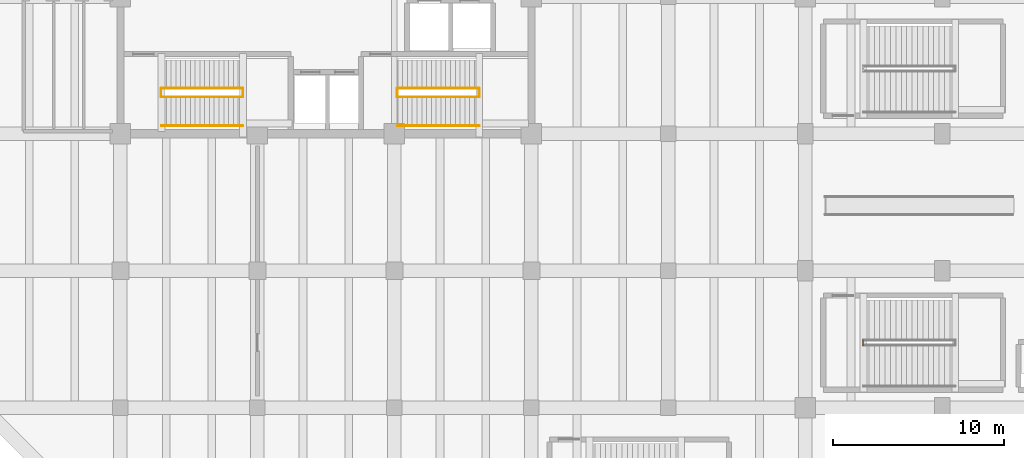
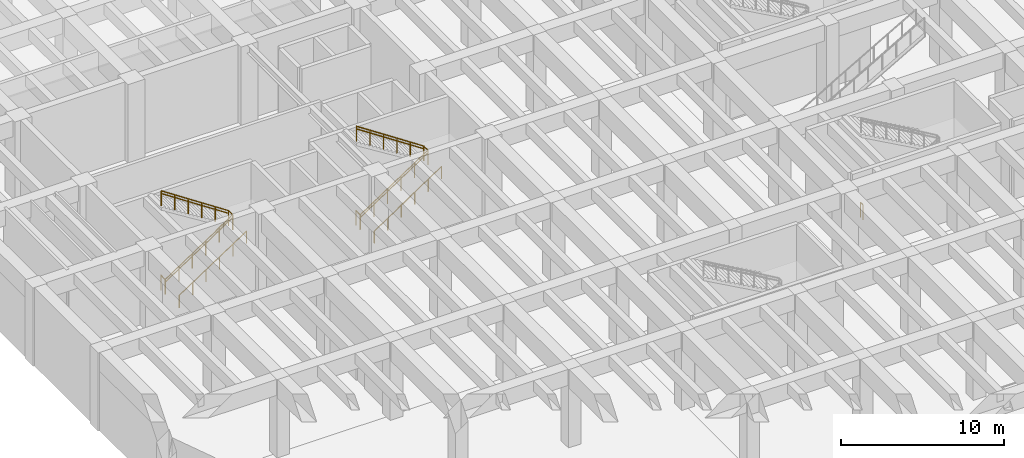
# One storey, part 16 of 24: 13 railings.
"""IFC4 building model written with IfcOpenShell, lengths in metres."""

from ifc_helpers import new_model, si_unit, direction, frame, origin, origin_2d, place, context, subcontext, project, spatial, circle, extrude, material, type_object, element, save


model = new_model("IFC4")

# Units and contexts
model_context = context("Model", 3, precision=1e-05, world=origin(), true_north=direction((0.0, 1.0)))
body_context = subcontext(model_context, "Body", "Model", "MODEL_VIEW")
ifc_project = project(units=[si_unit("LENGTHUNIT", "METRE"), si_unit("AREAUNIT", "SQUARE_METRE"), si_unit("VOLUMEUNIT", "CUBIC_METRE"), si_unit("PLANEANGLEUNIT", "RADIAN"), si_unit("MASSUNIT", "GRAM", prefix="KILO")], contexts=[model_context])

# Site, building, storey
site_placement = place(None, origin())
site = spatial("IfcSite", under=ifc_project, at=site_placement, CompositionType="ELEMENT")
building_placement = place(site_placement, origin())
building = spatial("IfcBuilding", under=site, at=building_placement, Name="Varnela Railside Interchange", CompositionType="ELEMENT")
storey_placement = place(building_placement, frame((0.0, 0.0, -6.300048828125)))
storey = spatial("IfcBuildingStorey", under=building, at=storey_placement, Name="B1", CompositionType="ELEMENT", Elevation=-6.300048828125)

# Railings
ifc_material = material(Name="Steel AR 350 (350 MPa)", Category="steel")
railing_type_1 = type_object("IfcRailingType", Name="Stair & Ramp Pitch Handrail HR-01", PredefinedType="HANDRAIL", material=ifc_material)
railing_1_placement = place(storey_placement, frame((14.39990234375, 56.14990234375, 0.0)))
element("IfcRailing", 1, at=railing_1_placement, inside=storey, type_object=railing_type_1, Name="Stair Handrail ST-T1 Flight 1 (RL-0153)", PredefinedType="HANDRAIL", context=body_context, shape_type="SweptSolid", body=[
    extrude(circle(Radius=0.02392578125, at=origin_2d()), frame((0.0, 0.0, 0.89599609375), z_axis=(0.83392091597, 0.0, 0.551883960546), x_axis=(0.0, 1.0, 0.0)), (0.0, 0.0, 1.0), 5.7080078125),
    extrude(circle(Radius=0.02099609375, at=origin_2d()), origin(), (0.0, 0.0, 1.0), 0.871826171875),
    extrude(circle(Radius=0.02099609375, at=origin_2d()), frame((0.951904296875, 0.0, 0.630126953125)), (0.0, 0.0, 1.0), 0.871826171875),
    extrude(circle(Radius=0.02099609375, at=origin_2d()), frame((1.904052734375, 0.0, 1.260009765625)), (0.0, 0.0, 1.0), 0.871826171875),
    extrude(circle(Radius=0.02099609375, at=origin_2d()), frame((2.85595703125, 0.0, 1.89013671875)), (0.0, 0.0, 1.0), 0.871826171875),
    extrude(circle(Radius=0.02099609375, at=origin_2d()), frame((3.80810546875, 0.0, 2.52001953125)), (0.0, 0.0, 1.0), 0.871826171875),
    extrude(circle(Radius=0.02099609375, at=origin_2d()), frame((4.760009765625, 0.0, 3.150146484375)), (0.0, 0.0, 1.0), 0.871826171875),
])
railing_2_placement = place(storey_placement, frame((19.159912109375, 56.64990234375, 3.150146484375)))
element("IfcRailing", 2, at=railing_2_placement, inside=storey, type_object=railing_type_1, Name="Stair Handrail ST-T1 Flight 2 (RL-0154)", PredefinedType="HANDRAIL", context=body_context, shape_type="SweptSolid", body=[
    extrude(circle(Radius=0.02392578125, at=origin_2d()), frame((0.0, 0.0, 0.89599609375), z_axis=(-0.833940600646, 0.0, 0.551854214983), x_axis=(0.0, -1.0, 0.0)), (0.0, 0.0, 1.0), 5.707763671875),
    extrude(circle(Radius=0.02099609375, at=origin_2d()), origin(), (0.0, 0.0, 1.0), 0.871826171875),
    extrude(circle(Radius=0.02099609375, at=origin_2d()), frame((-0.951904296875, 0.0, 0.6298828125)), (0.0, 0.0, 1.0), 0.871826171875),
    extrude(circle(Radius=0.02099609375, at=origin_2d()), frame((-1.904052734375, 0.0, 1.260009765625)), (0.0, 0.0, 1.0), 0.871826171875),
    extrude(circle(Radius=0.02099609375, at=origin_2d()), frame((-2.85595703125, 0.0, 1.889892578125)), (0.0, 0.0, 1.0), 0.871826171875),
    extrude(circle(Radius=0.02099609375, at=origin_2d()), frame((-3.80810546875, 0.0, 2.52001953125)), (0.0, 0.0, 1.0), 0.871826171875),
    extrude(circle(Radius=0.02099609375, at=origin_2d()), frame((-4.760009765625, 0.0, 3.14990234375)), (0.0, 0.0, 1.0), 0.871826171875),
])
railing_3_placement = place(storey_placement, frame((28.199951171875, 56.14990234375, 0.0)))
element("IfcRailing", 3, at=railing_3_placement, inside=storey, type_object=railing_type_1, Name="Stair Handrail ST-T2 Flight 1 (RL-0155)", PredefinedType="HANDRAIL", context=body_context, shape_type="SweptSolid", body=[
    extrude(circle(Radius=0.02392578125, at=origin_2d()), frame((0.0, 0.0, 0.89599609375), z_axis=(0.83392091597, 0.0, 0.551883960546), x_axis=(0.0, 1.0, 0.0)), (0.0, 0.0, 1.0), 5.7080078125),
    extrude(circle(Radius=0.02099609375, at=origin_2d()), origin(), (0.0, 0.0, 1.0), 0.871826171875),
    extrude(circle(Radius=0.02099609375, at=origin_2d()), frame((0.951904296875, 0.0, 0.630126953125)), (0.0, 0.0, 1.0), 0.871826171875),
    extrude(circle(Radius=0.02099609375, at=origin_2d()), frame((1.904052734375, 0.0, 1.260009765625)), (0.0, 0.0, 1.0), 0.871826171875),
    extrude(circle(Radius=0.02099609375, at=origin_2d()), frame((2.85595703125, 0.0, 1.89013671875)), (0.0, 0.0, 1.0), 0.871826171875),
    extrude(circle(Radius=0.02099609375, at=origin_2d()), frame((3.80810546875, 0.0, 2.52001953125)), (0.0, 0.0, 1.0), 0.871826171875),
    extrude(circle(Radius=0.02099609375, at=origin_2d()), frame((4.760009765625, 0.0, 3.150146484375)), (0.0, 0.0, 1.0), 0.871826171875),
])
railing_4_placement = place(storey_placement, frame((32.9599609375, 56.64990234375, 3.150146484375)))
element("IfcRailing", 4, at=railing_4_placement, inside=storey, type_object=railing_type_1, Name="Stair Handrail ST-T2 Flight 2 (RL-0156)", PredefinedType="HANDRAIL", context=body_context, shape_type="SweptSolid", body=[
    extrude(circle(Radius=0.02392578125, at=origin_2d()), frame((0.0, 0.0, 0.89599609375), z_axis=(-0.833940600646, 0.0, 0.551854214983), x_axis=(0.0, -1.0, 0.0)), (0.0, 0.0, 1.0), 5.707763671875),
    extrude(circle(Radius=0.02099609375, at=origin_2d()), origin(), (0.0, 0.0, 1.0), 0.871826171875),
    extrude(circle(Radius=0.02099609375, at=origin_2d()), frame((-0.951904296875, 0.0, 0.6298828125)), (0.0, 0.0, 1.0), 0.871826171875),
    extrude(circle(Radius=0.02099609375, at=origin_2d()), frame((-1.904052734375, 0.0, 1.260009765625)), (0.0, 0.0, 1.0), 0.871826171875),
    extrude(circle(Radius=0.02099609375, at=origin_2d()), frame((-2.85595703125, 0.0, 1.889892578125)), (0.0, 0.0, 1.0), 0.871826171875),
    extrude(circle(Radius=0.02099609375, at=origin_2d()), frame((-3.80810546875, 0.0, 2.52001953125)), (0.0, 0.0, 1.0), 0.871826171875),
    extrude(circle(Radius=0.02099609375, at=origin_2d()), frame((-4.760009765625, 0.0, 3.14990234375)), (0.0, 0.0, 1.0), 0.871826171875),
])
railing_type_2 = type_object("IfcRailingType", Name="Stair Well & Landing Guard GR-02", PredefinedType="GUARDRAIL", material=ifc_material)
railing_5_placement = place(storey_placement, frame((14.3701171875, 56.14990234375, 0.0)))
element("IfcRailing", 5, at=railing_5_placement, inside=storey, type_object=railing_type_2, Name="Stair Well Slot Guard ST-T1 on B1 (RL-0115)", PredefinedType="GUARDRAIL", context=body_context, shape_type="SweptSolid", body=[
    extrude(circle(Radius=0.02392578125, at=origin_2d()), frame((0.0, 0.0, 1.09619140625), z_axis=(0.0, 1.0, 0.0), x_axis=(-1.0, 0.0, 0.0)), (0.0, 0.0, 1.0), 0.5),
    extrude(circle(Radius=0.02099609375, at=origin_2d()), origin(), (0.0, 0.0, 1.0), 1.072021484375),
    extrude(circle(Radius=0.02099609375, at=origin_2d()), frame((0.0, 0.5, 0.0)), (0.0, 0.0, 1.0), 1.072021484375),
])
railing_6_placement = place(storey_placement, frame((14.39990234375, 56.14990234375, 0.0)))
element("IfcRailing", 6, at=railing_6_placement, inside=storey, type_object=railing_type_2, Name="Stair Guard ST-T1 Half-Landing (RL-0113)", PredefinedType="GUARDRAIL", context=body_context, shape_type="SweptSolid", body=[
    extrude(circle(Radius=0.02392578125, at=origin_2d()), frame((0.0, 0.0, 1.09619140625), z_axis=(0.83392091597, 0.0, 0.551883960546), x_axis=(0.0, 1.0, 0.0)), (0.0, 0.0, 1.0), 5.7080078125),
    extrude(circle(Radius=0.02392578125, at=origin_2d()), frame((4.760009765625, 0.0, 4.24609375), z_axis=(0.0, 1.0, 0.0), x_axis=(-1.0, 0.0, 0.0)), (0.0, 0.0, 1.0), 0.5),
    extrude(circle(Radius=0.02099609375, at=origin_2d()), origin(), (0.0, 0.0, 1.0), 1.072021484375),
    extrude(circle(Radius=0.02099609375, at=origin_2d()), frame((0.951904296875, 0.0, 0.630126953125)), (0.0, 0.0, 1.0), 1.072021484375),
    extrude(circle(Radius=0.02099609375, at=origin_2d()), frame((1.904052734375, 0.0, 1.260009765625)), (0.0, 0.0, 1.0), 1.072021484375),
    extrude(circle(Radius=0.02099609375, at=origin_2d()), frame((2.85595703125, 0.0, 1.89013671875)), (0.0, 0.0, 1.0), 1.072021484375),
    extrude(circle(Radius=0.02099609375, at=origin_2d()), frame((3.80810546875, 0.0, 2.52001953125)), (0.0, 0.0, 1.0), 1.072021484375),
    extrude(circle(Radius=0.02099609375, at=origin_2d()), frame((4.760009765625, 0.0, 3.150146484375)), (0.0, 0.0, 1.0), 1.072021484375),
    extrude(circle(Radius=0.02099609375, at=origin_2d()), frame((4.760009765625, 0.5, 3.150146484375)), (0.0, 0.0, 1.0), 1.072021484375),
])
railing_7_placement = place(storey_placement, frame((19.159912109375, 56.64990234375, 3.150146484375)))
element("IfcRailing", 7, at=railing_7_placement, inside=storey, type_object=railing_type_2, Name="Stair Guard ST-T1 Upper Flight (RL-0114)", PredefinedType="GUARDRAIL", context=body_context, shape_type="SweptSolid", body=[
    extrude(circle(Radius=0.02392578125, at=origin_2d()), frame((0.0, 0.0, 1.09619140625), z_axis=(-0.833940600646, 0.0, 0.551854214983), x_axis=(0.0, -1.0, 0.0)), (0.0, 0.0, 1.0), 5.707763671875),
    extrude(circle(Radius=0.02099609375, at=origin_2d()), origin(), (0.0, 0.0, 1.0), 1.072021484375),
    extrude(circle(Radius=0.02099609375, at=origin_2d()), frame((-0.951904296875, 0.0, 0.6298828125)), (0.0, 0.0, 1.0), 1.072021484375),
    extrude(circle(Radius=0.02099609375, at=origin_2d()), frame((-1.904052734375, 0.0, 1.260009765625)), (0.0, 0.0, 1.0), 1.072021484375),
    extrude(circle(Radius=0.02099609375, at=origin_2d()), frame((-2.85595703125, 0.0, 1.889892578125)), (0.0, 0.0, 1.0), 1.072021484375),
    extrude(circle(Radius=0.02099609375, at=origin_2d()), frame((-3.80810546875, 0.0, 2.52001953125)), (0.0, 0.0, 1.0), 1.072021484375),
    extrude(circle(Radius=0.02099609375, at=origin_2d()), frame((-4.760009765625, 0.0, 3.14990234375)), (0.0, 0.0, 1.0), 1.072021484375),
])
railing_8_placement = place(storey_placement, frame((28.169921875, 56.14990234375, 0.0)))
element("IfcRailing", 8, at=railing_8_placement, inside=storey, type_object=railing_type_2, Name="Stair Well Slot Guard ST-T2 on B1 (RL-0118)", PredefinedType="GUARDRAIL", context=body_context, shape_type="SweptSolid", body=[
    extrude(circle(Radius=0.02392578125, at=origin_2d()), frame((0.0, 0.0, 1.09619140625), z_axis=(0.0, 1.0, 0.0), x_axis=(-1.0, 0.0, 0.0)), (0.0, 0.0, 1.0), 0.5),
    extrude(circle(Radius=0.02099609375, at=origin_2d()), origin(), (0.0, 0.0, 1.0), 1.072021484375),
    extrude(circle(Radius=0.02099609375, at=origin_2d()), frame((0.0, 0.5, 0.0)), (0.0, 0.0, 1.0), 1.072021484375),
])
railing_9_placement = place(storey_placement, frame((28.199951171875, 56.14990234375, 0.0)))
element("IfcRailing", 9, at=railing_9_placement, inside=storey, type_object=railing_type_2, Name="Stair Guard ST-T2 Half-Landing (RL-0116)", PredefinedType="GUARDRAIL", context=body_context, shape_type="SweptSolid", body=[
    extrude(circle(Radius=0.02392578125, at=origin_2d()), frame((0.0, 0.0, 1.09619140625), z_axis=(0.83392091597, 0.0, 0.551883960546), x_axis=(0.0, 1.0, 0.0)), (0.0, 0.0, 1.0), 5.7080078125),
    extrude(circle(Radius=0.02392578125, at=origin_2d()), frame((4.760009765625, 0.0, 4.24609375), z_axis=(0.0, 1.0, 0.0), x_axis=(-1.0, 0.0, 0.0)), (0.0, 0.0, 1.0), 0.5),
    extrude(circle(Radius=0.02099609375, at=origin_2d()), origin(), (0.0, 0.0, 1.0), 1.072021484375),
    extrude(circle(Radius=0.02099609375, at=origin_2d()), frame((0.951904296875, 0.0, 0.630126953125)), (0.0, 0.0, 1.0), 1.072021484375),
    extrude(circle(Radius=0.02099609375, at=origin_2d()), frame((1.904052734375, 0.0, 1.260009765625)), (0.0, 0.0, 1.0), 1.072021484375),
    extrude(circle(Radius=0.02099609375, at=origin_2d()), frame((2.85595703125, 0.0, 1.89013671875)), (0.0, 0.0, 1.0), 1.072021484375),
    extrude(circle(Radius=0.02099609375, at=origin_2d()), frame((3.80810546875, 0.0, 2.52001953125)), (0.0, 0.0, 1.0), 1.072021484375),
    extrude(circle(Radius=0.02099609375, at=origin_2d()), frame((4.760009765625, 0.0, 3.150146484375)), (0.0, 0.0, 1.0), 1.072021484375),
    extrude(circle(Radius=0.02099609375, at=origin_2d()), frame((4.760009765625, 0.5, 3.150146484375)), (0.0, 0.0, 1.0), 1.072021484375),
])
railing_10_placement = place(storey_placement, frame((32.9599609375, 56.64990234375, 3.150146484375)))
element("IfcRailing", 10, at=railing_10_placement, inside=storey, type_object=railing_type_2, Name="Stair Guard ST-T2 Upper Flight (RL-0117)", PredefinedType="GUARDRAIL", context=body_context, shape_type="SweptSolid", body=[
    extrude(circle(Radius=0.02392578125, at=origin_2d()), frame((0.0, 0.0, 1.09619140625), z_axis=(-0.833940600646, 0.0, 0.551854214983), x_axis=(0.0, -1.0, 0.0)), (0.0, 0.0, 1.0), 5.707763671875),
    extrude(circle(Radius=0.02099609375, at=origin_2d()), origin(), (0.0, 0.0, 1.0), 1.072021484375),
    extrude(circle(Radius=0.02099609375, at=origin_2d()), frame((-0.951904296875, 0.0, 0.6298828125)), (0.0, 0.0, 1.0), 1.072021484375),
    extrude(circle(Radius=0.02099609375, at=origin_2d()), frame((-1.904052734375, 0.0, 1.260009765625)), (0.0, 0.0, 1.0), 1.072021484375),
    extrude(circle(Radius=0.02099609375, at=origin_2d()), frame((-2.85595703125, 0.0, 1.889892578125)), (0.0, 0.0, 1.0), 1.072021484375),
    extrude(circle(Radius=0.02099609375, at=origin_2d()), frame((-3.80810546875, 0.0, 2.52001953125)), (0.0, 0.0, 1.0), 1.072021484375),
    extrude(circle(Radius=0.02099609375, at=origin_2d()), frame((-4.760009765625, 0.0, 3.14990234375)), (0.0, 0.0, 1.0), 1.072021484375),
])
railing_11_placement = place(storey_placement, frame((55.3701171875, 41.64990234375, 0.0)))
element("IfcRailing", 11, at=railing_11_placement, inside=storey, type_object=railing_type_2, Name="Stair Well Slot Guard ST-C1 on B1 (RL-0082)", PredefinedType="GUARDRAIL", context=body_context, shape_type="SweptSolid", body=[
    extrude(circle(Radius=0.02392578125, at=origin_2d()), frame((0.0, 0.0, 1.09619140625), z_axis=(0.0, 1.0, 0.0), x_axis=(-1.0, 0.0, 0.0)), (0.0, 0.0, 1.0), 0.300048828125),
    extrude(circle(Radius=0.02099609375, at=origin_2d()), origin(), (0.0, 0.0, 1.0), 1.072021484375),
    extrude(circle(Radius=0.02099609375, at=origin_2d()), frame((0.0, 0.300048828125, 0.0)), (0.0, 0.0, 1.0), 1.072021484375),
])
railing_type_3 = type_object("IfcRailingType", Name="Wall-Mounted Stair Handrail HR-02", PredefinedType="HANDRAIL", material=ifc_material)
for number, where, name in (
    (12, (14.39990234375, 54.4599609375, 0.0), "Wall Handrail ST-T1 Flight 1 (RL-0170)"),
    (13, (28.199951171875, 54.4599609375, 0.0), "Wall Handrail ST-T2 Flight 1 (RL-0171)"),
):
    element("IfcRailing", number, at=place(storey_placement, frame(where)), inside=storey, type_object=railing_type_3, Name=name, PredefinedType="HANDRAIL", context=body_context, shape_type="SweptSolid", body=[
        extrude(circle(Radius=0.02392578125, at=origin_2d()), frame((0.0, 0.0, 0.89599609375), z_axis=(0.83392091597, 0.0, 0.551883960546), x_axis=(0.0, 1.0, 0.0)), (0.0, 0.0, 1.0), 5.7080078125),
        extrude(circle(Radius=0.02099609375, at=origin_2d()), origin(), (0.0, 0.0, 1.0), 0.871826171875),
        extrude(circle(Radius=0.02099609375, at=origin_2d()), frame((0.951904296875, 0.0, 0.630126953125)), (0.0, 0.0, 1.0), 0.871826171875),
        extrude(circle(Radius=0.02099609375, at=origin_2d()), frame((1.904052734375, 0.0, 1.260009765625)), (0.0, 0.0, 1.0), 0.871826171875),
        extrude(circle(Radius=0.02099609375, at=origin_2d()), frame((2.85595703125, 0.0, 1.89013671875)), (0.0, 0.0, 1.0), 0.871826171875),
        extrude(circle(Radius=0.02099609375, at=origin_2d()), frame((3.80810546875, 0.0, 2.52001953125)), (0.0, 0.0, 1.0), 0.871826171875),
        extrude(circle(Radius=0.02099609375, at=origin_2d()), frame((4.760009765625, 0.0, 3.150146484375)), (0.0, 0.0, 1.0), 0.871826171875),
    ])

save(model, "model.ifc")
